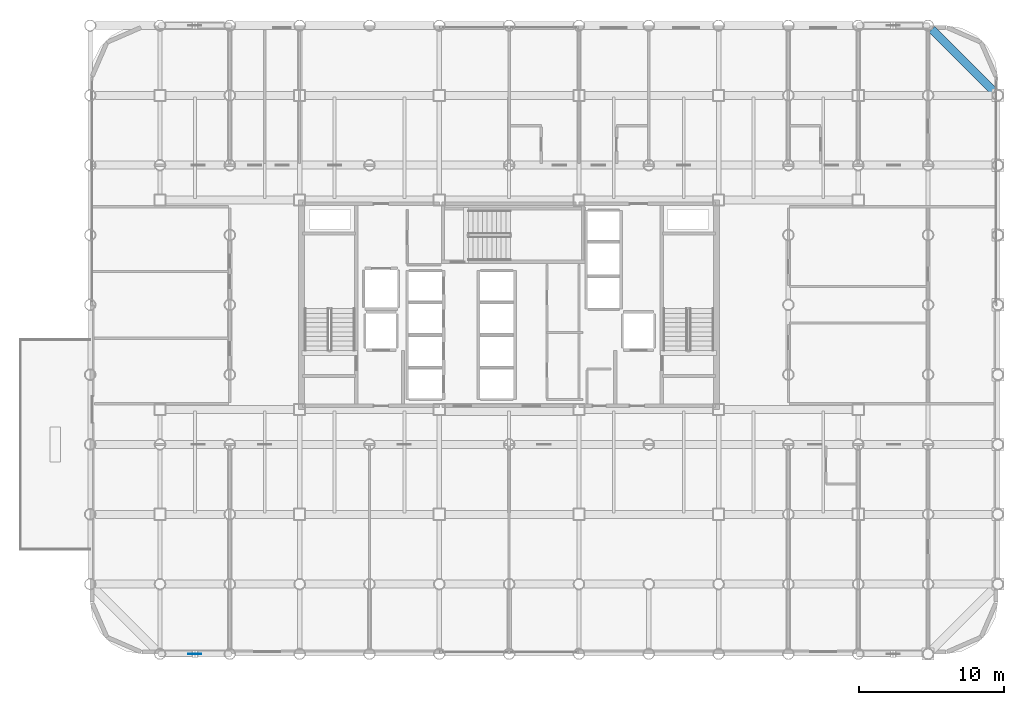
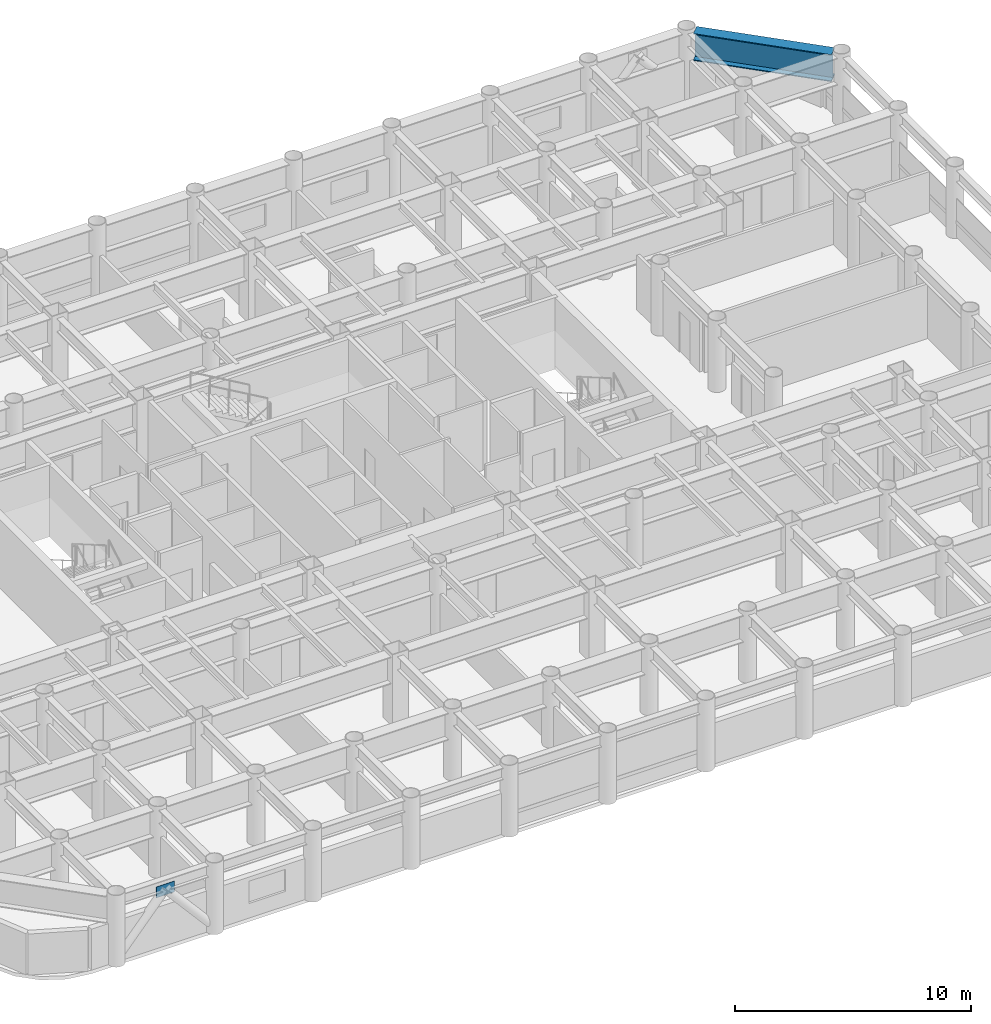
# One storey, part 14 of 22: 1 beam, 1 plate.
"""IFC4 building model written with IfcOpenShell, lengths in metres."""

import ifcopenshell
import ifcopenshell.guid

model = None  # the IFC model being written
_history = None  # IfcOwnerHistory: only IFC2X3 demands one
_inside = {}  # id of a spatial element -> (the spatial element, [elements in it])
_under = {}  # id of a project, library or spatial element -> (it, [spatial elements below it])
_declared = {}  # id of a project -> (the project, [libraries it declares])
_typed = {}  # id of a type object -> (the type object, [elements of that type])
_made_of = {}  # id of a material, layer set ... -> (it, [elements and type objects made of it])


def new_model(schema):
    """Start an empty IFC model of exactly this schema.

    Asked for "IFC4X3", IfcOpenShell would pick the latest addendum, in which some entities
    have other attributes; the version numbers below select the first issue.
    IFC2X3 requires an IfcOwnerHistory on every rooted entity: one is made here for all.
    """
    global model, _history
    if schema == "IFC4X3":
        model = ifcopenshell.file(schema_version=(4, 3, 0, 0))
    else:
        model = ifcopenshell.file(schema=schema)
    _inside.clear()
    _under.clear()
    _declared.clear()
    _typed.clear()
    _made_of.clear()
    _history = None
    if model.schema == "IFC2X3":
        org = make("IfcOrganization", Name="unknown")
        user = make(
            "IfcPersonAndOrganization",
            ThePerson=make("IfcPerson", FamilyName="unknown"),
            TheOrganization=org,
        )
        app = make(
            "IfcApplication",
            ApplicationDeveloper=org,
            Version="unknown",
            ApplicationFullName="unknown",
            ApplicationIdentifier="unknown",
        )
        _history = make(
            "IfcOwnerHistory",
            OwningUser=user,
            OwningApplication=app,
            ChangeAction="ADDED",
            CreationDate=0,
        )
    return model


def make(cls, **values):
    """One entity of the class cls with the attributes given. An attribute that is None is left unset."""
    return model.create_entity(
        cls, **{name: value for name, value in values.items() if value is not None}
    )


def rooted(cls, **values):
    """An entity with a GlobalId (a new one), such as an element, a storey or a relation."""
    return make(cls, GlobalId=ifcopenshell.guid.new(), OwnerHistory=_history, **values)


def si_unit(unit_type, name, prefix=None):
    """IfcSIUnit, for example si_unit("LENGTHUNIT", "METRE", prefix="MILLI")."""
    return make("IfcSIUnit", UnitType=unit_type, Prefix=prefix, Name=name)


def assignment(units):
    """IfcUnitAssignment: the units of a project."""
    return None if units is None else make("IfcUnitAssignment", Units=units)


def point(xyz):
    """IfcCartesianPoint."""
    return None if xyz is None else make("IfcCartesianPoint", Coordinates=xyz)


def direction(xyz):
    """IfcDirection."""
    return None if xyz is None else make("IfcDirection", DirectionRatios=xyz)


def frame(location, z_axis=None, x_axis=None):
    """IfcAxis2Placement3D, a coordinate frame: its origin and axes. An axis left out is left unset."""
    return make(
        "IfcAxis2Placement3D",
        Location=point(location),
        Axis=direction(z_axis),
        RefDirection=direction(x_axis),
    )


def frame_2d(location, x_axis=None):
    """IfcAxis2Placement2D, a coordinate frame in the plane: its origin and x axis."""
    return make(
        "IfcAxis2Placement2D", Location=point(location), RefDirection=direction(x_axis)
    )


def origin():
    """The frame at (0, 0, 0) with its axes left unset."""
    return frame((0.0, 0.0, 0.0))


def origin_2d():
    """The frame at (0, 0) in the plane with its x axis left unset."""
    return frame_2d((0.0, 0.0))


def place(relative_to, where):
    """IfcLocalPlacement: puts the frame where relative to a parent placement (None: the world)."""
    return make(
        "IfcLocalPlacement", PlacementRelTo=relative_to, RelativePlacement=where
    )


def context(
    kind, dimensions, precision=None, world=None, true_north=None, identifier=None
):
    """IfcGeometricRepresentationContext, for example the 3D "Model" context."""
    return make(
        "IfcGeometricRepresentationContext",
        ContextIdentifier=identifier,
        ContextType=kind,
        CoordinateSpaceDimension=dimensions,
        Precision=precision,
        WorldCoordinateSystem=world,
        TrueNorth=true_north,
    )


def subcontext(parent, identifier, kind, view, scale=None):
    """IfcGeometricRepresentationSubContext, for example "Body" below "Model"."""
    return make(
        "IfcGeometricRepresentationSubContext",
        ContextIdentifier=identifier,
        ContextType=kind,
        ParentContext=parent,
        TargetScale=scale,
        TargetView=view,
    )


def project(units=None, contexts=None):
    """IfcProject with its units and contexts."""
    return rooted(
        "IfcProject",
        Name="project",
        RepresentationContexts=contexts,
        UnitsInContext=assignment(units),
    )


def spatial(cls, under=None, at=None, **own):
    """A site, building, storey or space (cls), placed at a placement, below another one or the project."""
    s = rooted(cls, ObjectPlacement=at, **own)
    if under is not None:
        _under.setdefault(under.id(), (under, []))[1].append(s)
    return s


def profile(cls, at=None, kind="AREA", **sizes):
    """A parametric profile (cls). Its sizes go by their IFC names, for example OverallWidth=200.0."""
    return make(cls, ProfileType=kind, Position=at, **sizes)


def rectangle(**sizes):
    """IfcRectangleProfileDef."""
    return profile("IfcRectangleProfileDef", **sizes)


def i_section(**sizes):
    """IfcIShapeProfileDef."""
    return profile("IfcIShapeProfileDef", **sizes)


def extrude(swept, where, along, depth):
    """IfcExtrudedAreaSolid: the profile swept, set in the frame where, extruded along a direction by depth."""
    return make(
        "IfcExtrudedAreaSolid",
        SweptArea=swept,
        Position=where,
        ExtrudedDirection=direction(along),
        Depth=depth,
    )


def shape(context_of_items, identifier, shape_type, items):
    """IfcShapeRepresentation: the items that make up one representation, for example the "Body"."""
    return make(
        "IfcShapeRepresentation",
        ContextOfItems=context_of_items,
        RepresentationIdentifier=identifier,
        RepresentationType=shape_type,
        Items=items,
    )


def material(Name=None, Category=None):
    """IfcMaterial."""
    return make("IfcMaterial", Name=Name, Category=Category)


def layer(
    of_material, thickness, ventilated=None, Name=None, Category=None, Priority=None
):
    """IfcMaterialLayer: one layer of a wall or slab, of a material (None: an air gap)."""
    return make(
        "IfcMaterialLayer",
        Material=of_material,
        LayerThickness=thickness,
        IsVentilated=ventilated,
        Name=Name,
        Category=Category,
        Priority=Priority,
    )


def layer_set(layers, Name=None):
    """IfcMaterialLayerSet."""
    return make("IfcMaterialLayerSet", MaterialLayers=layers, LayerSetName=Name)


def material_profile(
    of_material, cross_section, Name=None, Category=None, Priority=None
):
    """IfcMaterialProfile: a cross section and its material."""
    return make(
        "IfcMaterialProfile",
        Name=Name,
        Material=of_material,
        Profile=cross_section,
        Priority=Priority,
        Category=Category,
    )


def profile_set(profiles, Name=None, composite=None):
    """IfcMaterialProfileSet."""
    return make(
        "IfcMaterialProfileSet",
        Name=Name,
        MaterialProfiles=profiles,
        CompositeProfile=composite,
    )


def made_of(thing, what):
    """Note that an element or type object is made of a material, layer set ...; save() writes the relation."""
    if what is not None:
        _made_of.setdefault(what.id(), (what, []))[1].append(thing)
    return thing


def type_object(cls, material=None, **own):
    """A type object (cls), such as IfcWallType, which elements share."""
    return made_of(rooted(cls, **own), material)


def element(
    cls,
    number,
    at=None,
    inside=None,
    cuts=None,
    type_object=None,
    material=None,
    context=None,
    identifier="Body",
    shape_type=None,
    held_by="IfcProductDefinitionShape",
    body=None,
    shapes=None,
    **own,
):
    """One element of the class cls, such as IfcWall. Its Tag is "e" and its number.

    at: its placement. inside: the storey or other place that contains it. cuts: it is an
    opening in that element (IfcRelVoidsElement). A single representation is given by context,
    identifier, shape_type and body (its items); several are given by shapes. held_by: the class
    of the entity that holds the representations. save() writes the other relations.
    """
    e = rooted(cls, Tag="e%d" % number, ObjectPlacement=at, **own)
    if body is not None:
        shapes = [shape(context, identifier, shape_type, body)]
    if shapes is not None:
        e.Representation = make(held_by, Representations=shapes)
    if inside is not None:
        _inside.setdefault(inside.id(), (inside, []))[1].append(e)
    if cuts is not None:
        rooted(
            "IfcRelVoidsElement", RelatingBuildingElement=cuts, RelatedOpeningElement=e
        )
    if type_object is not None:
        _typed.setdefault(type_object.id(), (type_object, []))[1].append(e)
    return made_of(e, material)


def aggregate(whole, parts):
    """IfcRelAggregates: a whole, such as a stair, and the parts it consists of."""
    return rooted("IfcRelAggregates", RelatingObject=whole, RelatedObjects=parts)


def save(model, path):
    """Write the relations noted so far, then the file.

    IfcRelAggregates (storeys below a building ...), IfcRelContainedInSpatialStructure (elements
    in a storey), IfcRelDefinesByType, IfcRelAssociatesMaterial and IfcRelDeclares: one each for
    every whole, place, type object, material and project.
    """
    for whole, parts in _under.values():
        aggregate(whole, parts)
    for where, things in _inside.values():
        rooted(
            "IfcRelContainedInSpatialStructure",
            RelatedElements=things,
            RelatingStructure=where,
        )
    for kind, things in _typed.values():
        rooted("IfcRelDefinesByType", RelatedObjects=things, RelatingType=kind)
    for what, things in _made_of.values():
        rooted("IfcRelAssociatesMaterial", RelatedObjects=things, RelatingMaterial=what)
    for by, libraries in _declared.values():
        rooted("IfcRelDeclares", RelatingContext=by, RelatedDefinitions=libraries)
    model.write(path)


model = new_model("IFC4")

# Units and contexts
model_context = context("Model", 3, precision=1e-05, world=origin(), true_north=direction((0.0, 1.0)))
body_context = subcontext(model_context, "Body", "Model", "MODEL_VIEW")
ifc_project = project(units=[si_unit("LENGTHUNIT", "METRE"), si_unit("AREAUNIT", "SQUARE_METRE"), si_unit("VOLUMEUNIT", "CUBIC_METRE"), si_unit("PLANEANGLEUNIT", "RADIAN"), si_unit("MASSUNIT", "GRAM", prefix="KILO")], contexts=[model_context])

# Site, building, storey
site_placement = place(None, origin())
site = spatial("IfcSite", under=ifc_project, at=site_placement, CompositionType="ELEMENT")
building_placement = place(site_placement, origin())
building = spatial("IfcBuilding", under=site, at=building_placement, Name="Kallvorn Hotel Tower", CompositionType="ELEMENT")
storey_placement = place(building_placement, frame((0.0, 0.0, 59.60009765625)))
storey = spatial("IfcBuildingStorey", under=building, at=storey_placement, Name="L13", CompositionType="ELEMENT", Elevation=59.60009765625)

# Beam
ifc_material_1 = material(Name="Structural steel S355JR", Category="steel")
ifc_material_profile = material_profile(ifc_material_1, i_section(OverallWidth=0.550048828125, OverallDepth=1.39990234375, WebThickness=0.02490234375, FlangeThickness=0.044921875, at=origin_2d()), Name="PG 1400x550x25x45")
ifc_profile_set = profile_set([ifc_material_profile], Name="Structural steel S355JR")
beam_type = type_object("IfcBeamType", Name="BM_PG_1400", PredefinedType="BEAM", material=ifc_profile_set)
beam_placement = place(storey_placement, frame((33.337646484375, 14.662353515625, 2.81982421875), z_axis=(-0.707106781187, 0.707106781187, 0.0), x_axis=(-0.707106781187, -0.707106781187, 0.0)))
element("IfcBeam", 1, at=beam_placement, inside=storey, type_object=beam_type, Name="L14 Rounded Corner Tie Beam 191", PredefinedType="BEAM", context=body_context, shape_type="SweptSolid", body=[
    extrude(i_section(OverallWidth=0.550048828125, OverallDepth=1.39990234375, WebThickness=0.02490234375, FlangeThickness=0.044921875, at=origin_2d()), origin(), (0.0, 0.0, 1.0), 6.04638671875),
])

# Plate
ifc_material_2 = material(Name="Structural steel S355JR", Category="steel")
ifc_layer = layer(ifc_material_2, 0.044921875)
ifc_layer_set = layer_set([ifc_layer], Name="PLT_GUSSET_45")
plate_type = type_object("IfcPlateType", Name="PLT_GUSSET_45", PredefinedType="USERDEFINED", material=ifc_layer_set)
plate_placement = place(storey_placement, frame((-21.60009765625, -24.0, 2.639892578125), z_axis=(0.0, 0.0, 1.0), x_axis=(1.0, 0.0, 0.0)))
element("IfcPlate", 2, at=plate_placement, inside=storey, type_object=plate_type, Name="L13 Exoskeleton Node Gusset S1", ObjectType="GUSSET PLATE", PredefinedType="USERDEFINED", context=body_context, shape_type="SweptSolid", body=[
    extrude(rectangle(XDim=0.89990234375, YDim=0.044921875, at=origin_2d()), origin(), (0.0, 0.0, 1.0), 0.56005859375),
])

save(model, "model.ifc")
